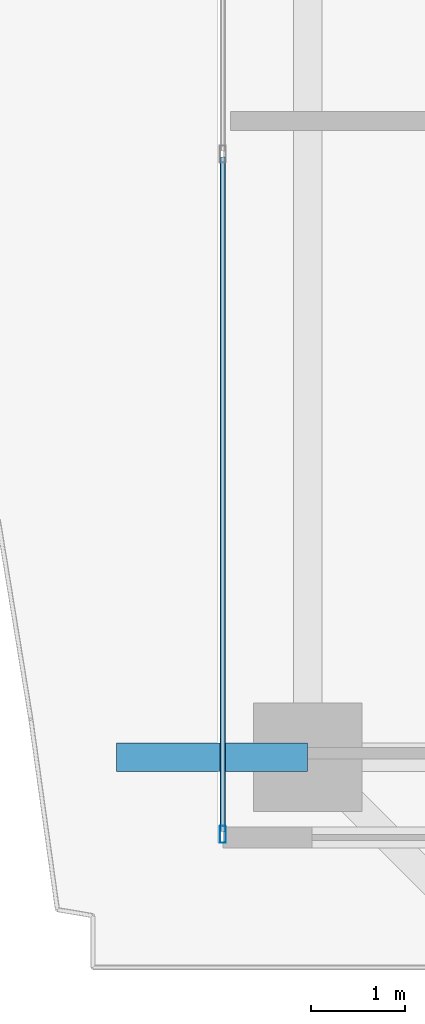
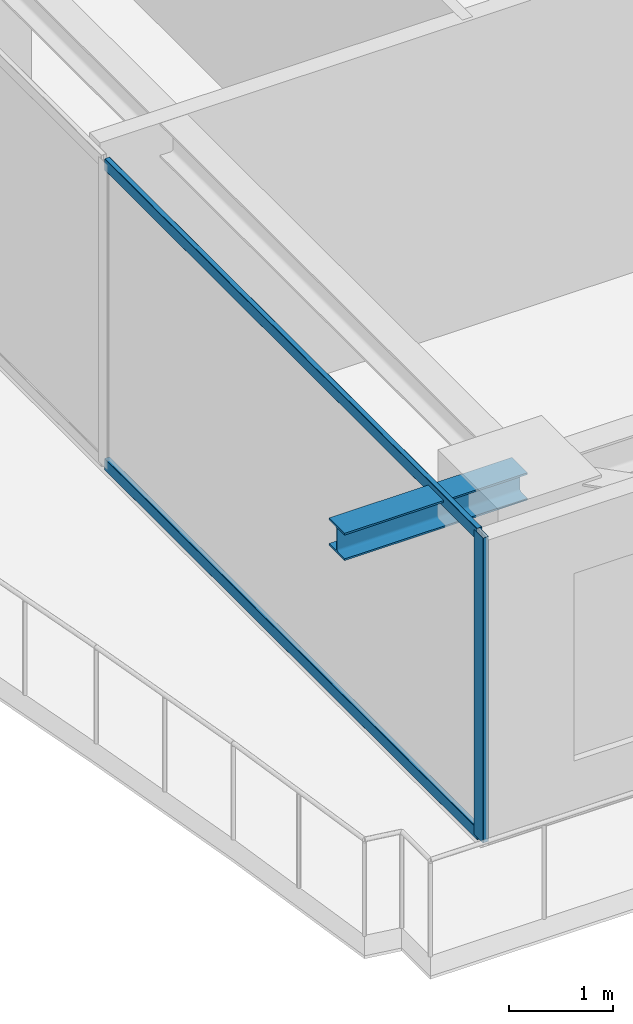
# One storey, part 3 of 36: 3 members, 1 beam, 1 element without a shape of its own.
"""IFC4 building model written with IfcOpenShell, lengths in metres."""

from ifc_helpers import new_model, si_unit, direction, frame, origin, origin_2d, place, context, subcontext, project, spatial, hollow_rectangle, i_section, extrude, source, transform, mapped, material, layer, layer_set, material_profile, profile_set, type_object, element, aggregate, save


model = new_model("IFC4")

# Units and contexts
model_context = context("Model", 3, precision=1e-05, world=origin(), true_north=direction((0.0, 1.0)))
body_context = subcontext(model_context, "Body", "Model", "MODEL_VIEW")
ifc_project = project(units=[si_unit("LENGTHUNIT", "METRE"), si_unit("AREAUNIT", "SQUARE_METRE"), si_unit("VOLUMEUNIT", "CUBIC_METRE"), si_unit("PLANEANGLEUNIT", "RADIAN"), si_unit("MASSUNIT", "GRAM", prefix="KILO")], contexts=[model_context])

# Site, building, storey
site_placement = place(None, origin())
site = spatial("IfcSite", under=ifc_project, at=site_placement, CompositionType="ELEMENT")
building_placement = place(site_placement, origin())
building = spatial("IfcBuilding", under=site, at=building_placement, Name="Serunith Strait Residences", CompositionType="ELEMENT")
storey_placement = place(building_placement, frame((0.0, 0.0, 225.85009765625)))
storey = spatial("IfcBuildingStorey", under=building, at=storey_placement, Name="L56", CompositionType="ELEMENT", Elevation=225.85009765625)

# Beam
ifc_material_1 = material(Name="Steel S355J2", Category="steel")
ifc_material_profile_1 = material_profile(ifc_material_1, i_section(OverallWidth=0.300048828125, OverallDepth=0.320068359375, WebThickness=0.011474609375, FlangeThickness=0.0205078125, FilletRadius=0.027099609375, at=origin_2d()), Name="HEB 320")
ifc_profile_set_1 = profile_set([ifc_material_profile_1], Name="Steel S355J2")
beam_type = type_object("IfcBeamType", Name="BM-HEB320", PredefinedType="BEAM", material=ifc_profile_set_1)
shared_shape_1 = source(origin(), body_context, "Body", "SweptSolid", [
    extrude(i_section(OverallWidth=0.300048828125, OverallDepth=0.320068359375, WebThickness=0.011474609375, FlangeThickness=0.0205078125, FilletRadius=0.027099609375, at=origin_2d()), origin(), (0.0, 0.0, 1.0), 2.030029296875),
])
beam_placement = place(storey_placement, frame((8.300048828125, 10.050048828125, 3.39697265625), z_axis=(-1.0, 0.0, 0.0), x_axis=(0.0, -1.0, 0.0)))
element("IfcBeam", 1, at=beam_placement, inside=storey, type_object=beam_type, Name="L57 Cantilevered Balcony Rib TC-W1", PredefinedType="BEAM", context=body_context, shape_type="MappedRepresentation", body=[
    mapped(shared_shape_1, transform((0.0, 0.0, 0.0), scale=1.0)),
])

# Curtain wall, members
ifc_material_2 = material(Name="Pale-Champagne Anodised Aluminium", Category="aluminium")
ifc_layer = layer(ifc_material_2, 0.199951171875, Name="Pale-Champagne Anodised Aluminium")
ifc_layer_set = layer_set([ifc_layer], Name="Pale-Champagne Anodised Aluminium")
curtain_wall_type = type_object("IfcCurtainWallType", Name="CW-SYS4", PredefinedType="NOTDEFINED", material=ifc_layer_set)
curtain_wall_placement = place(storey_placement, origin())
curtain_wall = element("IfcCurtainWall", 2, at=curtain_wall_placement, inside=storey, type_object=curtain_wall_type, Name="L56 W Unitised Fritted Curtain Wall", PredefinedType="NOTDEFINED")
ifc_material_profile_2 = material_profile(ifc_material_2, hollow_rectangle(XDim=0.06494140625, YDim=0.179931640625, WallThickness=0.00341796875, InnerFilletRadius=0.00537109375, OuterFilletRadius=0.0087890625, at=origin_2d()), Name="ALU 180x65x3.5")
ifc_profile_set_2 = profile_set([ifc_material_profile_2], Name="Pale-Champagne Anodised Aluminium")
member_type_1 = type_object("IfcMemberType", Name="CW-SYS4-MULL", PredefinedType="MULLION", material=ifc_profile_set_2)
shared_shape_2 = source(origin(), body_context, "Body", "SweptSolid", [
    extrude(hollow_rectangle(XDim=0.06494140625, YDim=0.179931640625, WallThickness=0.00341796875, InnerFilletRadius=0.00537109375, OuterFilletRadius=0.0087890625, at=origin_2d()), origin(), (0.0, 0.0, 1.0), 3.574951171875),
])
member_1_placement = place(storey_placement, frame((7.39990234375, 9.232421875, 0.0), z_axis=(0.0, 0.0, 1.0), x_axis=(1.0, 0.0, 0.0)))
member_1 = element("IfcMember", 3, at=member_1_placement, type_object=member_type_1, Name="CW-4 mullion 3", PredefinedType="MULLION", context=body_context, shape_type="MappedRepresentation", body=[
    mapped(shared_shape_2, transform((0.0, 0.0, 0.0), scale=1.0)),
])
ifc_material_profile_3 = material_profile(ifc_material_2, hollow_rectangle(XDim=0.06005859375, YDim=0.139892578125, WallThickness=0.00341796875, InnerFilletRadius=0.00537109375, OuterFilletRadius=0.0087890625, at=origin_2d()), Name="ALU 140x60x3.5")
ifc_profile_set_3 = profile_set([ifc_material_profile_3], Name="Pale-Champagne Anodised Aluminium")
member_type_2 = type_object("IfcMemberType", Name="CW-SYS4-TRAN", PredefinedType="USERDEFINED", material=ifc_profile_set_3)
shared_shape_3 = source(origin(), body_context, "Body", "SweptSolid", [
    extrude(hollow_rectangle(XDim=0.06005859375, YDim=0.139892578125, WallThickness=0.00341796875, InnerFilletRadius=0.00537109375, OuterFilletRadius=0.0087890625, at=origin_2d()), origin(), (0.0, 0.0, 1.0), 7.152587890625),
])
member_2_placement = place(storey_placement, frame((7.39990234375, 16.41748046875, 0.02978515625), z_axis=(0.0, -1.0, 0.0), x_axis=(1.0, 0.0, 0.0)))
member_2 = element("IfcMember", 4, at=member_2_placement, type_object=member_type_2, Name="CW-4 transom 2.1", ObjectType="TRANSOM", PredefinedType="USERDEFINED", context=body_context, shape_type="MappedRepresentation", body=[
    mapped(shared_shape_3, transform((0.0, 0.0, 0.0), scale=1.0)),
])
member_3_placement = place(storey_placement, frame((7.39990234375, 16.41748046875, 3.544921875), z_axis=(0.0, -1.0, 0.0), x_axis=(1.0, 0.0, 0.0)))
member_3 = element("IfcMember", 5, at=member_3_placement, type_object=member_type_2, Name="CW-4 transom 2.2", ObjectType="TRANSOM", PredefinedType="USERDEFINED", context=body_context, shape_type="MappedRepresentation", body=[
    mapped(shared_shape_3, transform((0.0, 0.0, 0.0), scale=1.0)),
])
aggregate(curtain_wall, [member_1, member_2, member_3])

save(model, "model.ifc")
